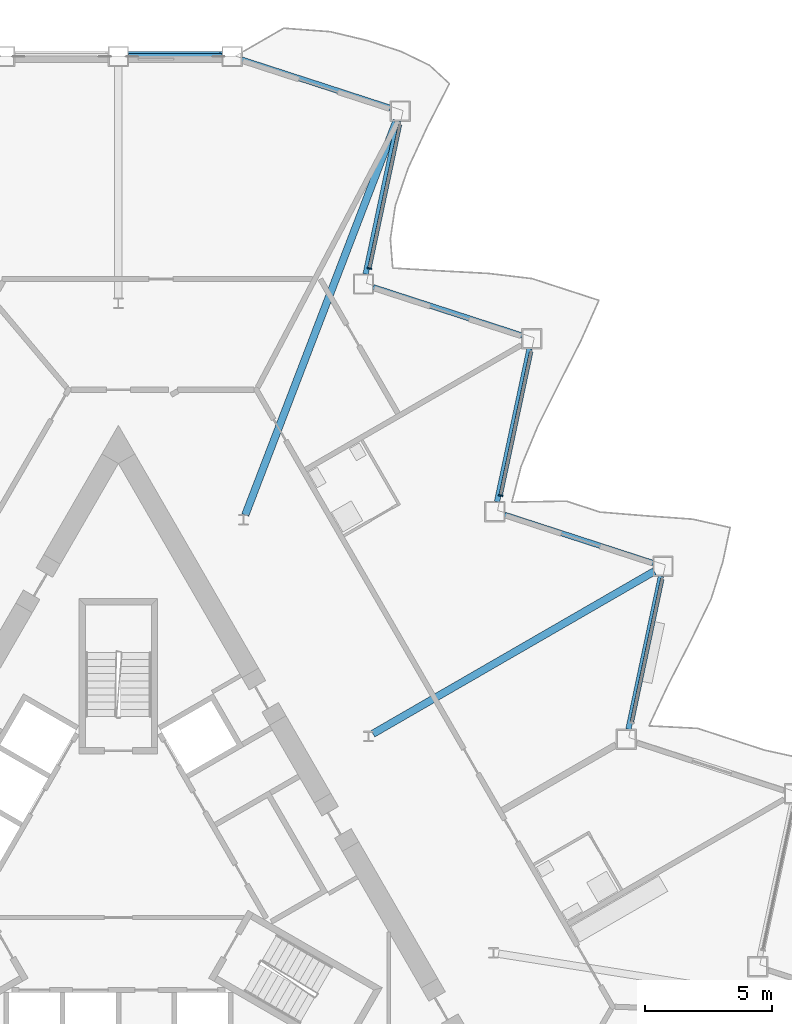
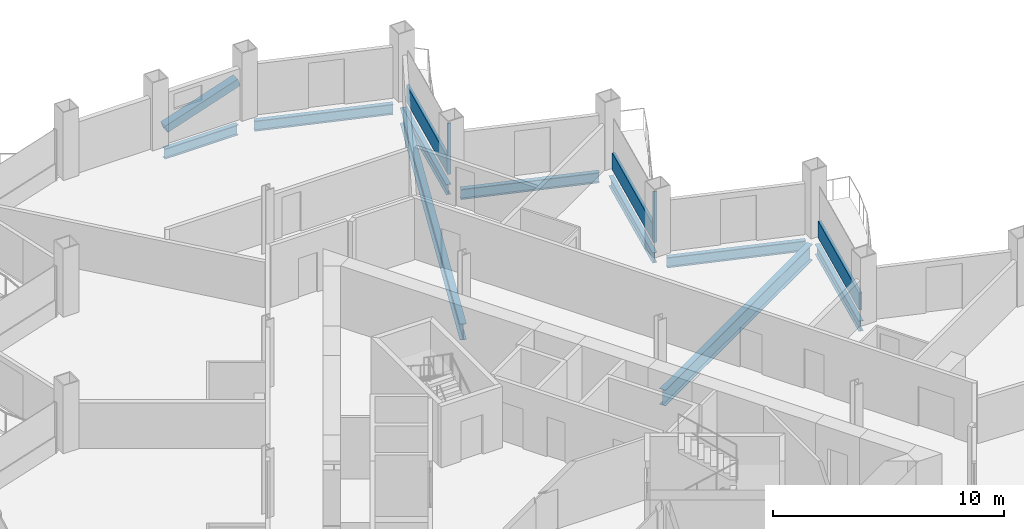
# One storey, part 9 of 23: 9 beams, 6 members, 3 elements without a shape of their own.
"""IFC4 building model written with IfcOpenShell, lengths in metres."""

from ifc_helpers import new_model, si_unit, direction, frame, origin, origin_2d, place, context, subcontext, project, spatial, rectangle, hollow_rectangle, i_section, extrude, material, layer, layer_set, material_profile, profile_set, type_object, element, aggregate, save


model = new_model("IFC4")

# Units and contexts
model_context = context("Model", 3, precision=1e-05, world=origin(), true_north=direction((0.0, 1.0)))
body_context = subcontext(model_context, "Body", "Model", "MODEL_VIEW")
ifc_project = project(units=[si_unit("LENGTHUNIT", "METRE"), si_unit("AREAUNIT", "SQUARE_METRE"), si_unit("VOLUMEUNIT", "CUBIC_METRE"), si_unit("PLANEANGLEUNIT", "RADIAN"), si_unit("MASSUNIT", "GRAM", prefix="KILO")], contexts=[model_context])

# Site, building, storey
site_placement = place(None, origin())
site = spatial("IfcSite", under=ifc_project, at=site_placement, CompositionType="ELEMENT")
building_placement = place(site_placement, origin())
building = spatial("IfcBuilding", under=site, at=building_placement, Name="Cormorant Prow Tower", CompositionType="ELEMENT")
storey_placement = place(building_placement, frame((0.0, 0.0, 208.800048828125)))
storey = spatial("IfcBuildingStorey", under=building, at=storey_placement, Name="L46", CompositionType="ELEMENT", Elevation=208.800048828125)

# Member
ifc_material_1 = material(Name="Structural steel ASTM A500 Gr C", Category="steel")
ifc_material_profile_1 = material_profile(ifc_material_1, hollow_rectangle(XDim=0.406494140625, YDim=0.406494140625, WallThickness=0.01171875, at=origin_2d()), Name="HSS16x16x1/2")
ifc_profile_set_1 = profile_set([ifc_material_profile_1], Name="Structural steel ASTM A500 Gr C")
member_type_1 = type_object("IfcMemberType", Name="Chamfer brace HSS16x16x1/2", PredefinedType="BRACE", material=ifc_profile_set_1)
member_1_placement = place(storey_placement, frame((0.417236328125, 32.3994140625, 0.739990234375), z_axis=(0.947999999098, 0.0, 0.318270328039), x_axis=(0.0, 1.0, 0.0)))
element("IfcMember", 1, at=member_1_placement, inside=storey, type_object=member_type_1, Name="Chamfer brace BR2 at N00 L46", PredefinedType="BRACE", context=body_context, shape_type="SweptSolid", body=[
    extrude(hollow_rectangle(XDim=0.406494140625, YDim=0.406494140625, WallThickness=0.01171875, at=origin_2d()), origin(), (0.0, 0.0, 1.0), 3.83544921875),
])

# Curtain wall, member
ifc_material_2 = material(Name="Aluminium 6063-T6", Category="aluminium")
ifc_layer = layer(ifc_material_2, 0.179931640625)
ifc_layer_set = layer_set([ifc_layer], Name="Aluminium 6063-T6")
curtain_wall_type = type_object("IfcCurtainWallType", Name="Hotel unitised curtain wall 180", PredefinedType="NOTDEFINED", material=ifc_layer_set)
curtain_wall_1_placement = place(storey_placement, origin())
curtain_wall_1 = element("IfcCurtainWall", 2, at=curtain_wall_1_placement, inside=storey, type_object=curtain_wall_type, Name="Hotel curtain wall ENE06", PredefinedType="NOTDEFINED")
ifc_material_3 = material(Name="Aluminium 6063-T6", Category="aluminium")
ifc_material_profile_2 = material_profile(ifc_material_3, rectangle(XDim=0.179931640625, YDim=0.06005859375, at=origin_2d()), Name="Hotel mullion 60x180")
ifc_profile_set_2 = profile_set([ifc_material_profile_2], Name="Aluminium 6063-T6")
member_type_2 = type_object("IfcMemberType", Name="Hotel mullion 60x180", PredefinedType="MULLION", material=ifc_profile_set_2)
member_2_placement = place(storey_placement, frame((15.027099609375, 15.142333984375, 0.0), z_axis=(0.0, 0.0, 1.0), x_axis=(-0.978147602617, 0.207911681957, 0.0)))
member_2 = element("IfcMember", 3, at=member_2_placement, type_object=member_type_2, Name="Hotel mullion ENE06", PredefinedType="MULLION", context=body_context, shape_type="SweptSolid", body=[
    extrude(rectangle(XDim=0.179931640625, YDim=0.06005859375, at=origin_2d()), origin(), (0.0, 0.0, 1.0), 2.700927734375),
])

curtain_wall_2_placement = place(storey_placement, origin())
curtain_wall_2 = element("IfcCurtainWall", 4, at=curtain_wall_2_placement, inside=storey, type_object=curtain_wall_type, Name="Hotel curtain wall ENE08", PredefinedType="NOTDEFINED")
member_3_placement = place(storey_placement, frame((9.87158203125, 24.072021484375, 0.0), z_axis=(0.0, 0.0, 1.0), x_axis=(-0.978147596387, 0.20791171127, 0.0)))
member_3 = element("IfcMember", 5, at=member_3_placement, type_object=member_type_2, Name="Hotel mullion ENE08", PredefinedType="MULLION", context=body_context, shape_type="SweptSolid", body=[
    extrude(rectangle(XDim=0.179931640625, YDim=0.06005859375, at=origin_2d()), origin(), (0.0, 0.0, 1.0), 2.700927734375),
])

curtain_wall_3_placement = place(storey_placement, origin())
curtain_wall_3 = element("IfcCurtainWall", 6, at=curtain_wall_3_placement, inside=storey, type_object=curtain_wall_type, Name="Hotel curtain wall ENE04", PredefinedType="NOTDEFINED")
ifc_material_4 = material(Name="Terracotta", Category="masonry")
ifc_material_profile_3 = material_profile(ifc_material_4, rectangle(XDim=0.139892578125, YDim=0.89990234375, at=origin_2d()), Name="Hotel terracotta spandrel rail 140x900")
ifc_profile_set_3 = profile_set([ifc_material_profile_3], Name="Terracotta")
member_type_3 = type_object("IfcMemberType", Name="Hotel terracotta spandrel rail 140x900", PredefinedType="USERDEFINED", material=ifc_profile_set_3)
member_4_placement = place(storey_placement, frame((20.18896484375, 6.24169921875, 0.449951171875), z_axis=(0.207925883131, 0.978144583957, 0.0), x_axis=(-0.978144583957, 0.207925883131, 0.0)))
member_4 = element("IfcMember", 7, at=member_4_placement, type_object=member_type_3, Name="Hotel spandrel rail ENE04", ObjectType="TRANSOM", PredefinedType="USERDEFINED", context=body_context, shape_type="SweptSolid", body=[
    extrude(rectangle(XDim=0.139892578125, YDim=0.89990234375, at=origin_2d()), origin(), (0.0, 0.0, 1.0), 5.74169921875),
])
aggregate(curtain_wall_3, [member_4])

# Member
member_5_placement = place(storey_placement, frame((15.033447265625, 15.171630859375, 0.449951171875), z_axis=(0.207885200263, 0.9781532311, 0.0), x_axis=(-0.9781532311, 0.207885200263, 0.0)))
member_5 = element("IfcMember", 8, at=member_5_placement, type_object=member_type_3, Name="Hotel spandrel rail ENE06", ObjectType="TRANSOM", PredefinedType="USERDEFINED", context=body_context, shape_type="SweptSolid", body=[
    extrude(rectangle(XDim=0.139892578125, YDim=0.89990234375, at=origin_2d()), origin(), (0.0, 0.0, 1.0), 5.74169921875),
])

aggregate(curtain_wall_1, [member_2, member_5])

member_6_placement = place(storey_placement, frame((9.877685546875, 24.1015625, 0.449951171875), z_axis=(0.207934531396, 0.97814274554, 0.0), x_axis=(-0.97814274554, 0.207934531396, 0.0)))
member_6 = element("IfcMember", 9, at=member_6_placement, type_object=member_type_3, Name="Hotel spandrel rail ENE08", ObjectType="TRANSOM", PredefinedType="USERDEFINED", context=body_context, shape_type="SweptSolid", body=[
    extrude(rectangle(XDim=0.139892578125, YDim=0.89990234375, at=origin_2d()), origin(), (0.0, 0.0, 1.0), 5.741455078125),
])

aggregate(curtain_wall_2, [member_3, member_6])

# Beams
ifc_material_5 = material(Name="Structural steel ASTM A992 Gr 50", Category="steel")
ifc_material_profile_4 = material_profile(ifc_material_5, i_section(OverallWidth=0.29296875, OverallDepth=0.845703125, WebThickness=0.015380859375, FlangeThickness=0.0244140625, at=origin_2d()), Name="W33x141")
ifc_profile_set_4 = profile_set([ifc_material_profile_4], Name="Structural steel ASTM A992 Gr 50")
beam_type_1 = type_object("IfcBeamType", Name="Radial floor beam W33x141", PredefinedType="BEAM", material=ifc_profile_set_4)
beam_1_placement = place(storey_placement, frame((10.0048828125, 5.7763671875, -0.77294921875), z_axis=(0.866026069776, 0.499998846467, 0.0), x_axis=(-0.499998846467, 0.866026069776, 0.0)))
element("IfcBeam", 10, at=beam_1_placement, inside=storey, type_object=beam_type_1, Name="Radial floor beam FB2 11 L46", PredefinedType="BEAM", context=body_context, shape_type="SweptSolid", body=[
    extrude(i_section(OverallWidth=0.29296875, OverallDepth=0.845703125, WebThickness=0.015380859375, FlangeThickness=0.0244140625, at=origin_2d()), origin(), (0.0, 0.0, 1.0), 12.76904296875),
])
beam_2_placement = place(storey_placement, frame((4.9873046875, 14.376220703125, -0.77294921875), z_axis=(0.358301123829, 0.933606075742, 0.0), x_axis=(-0.933606075742, 0.358301123829, 0.0)))
element("IfcBeam", 11, at=beam_2_placement, inside=storey, type_object=beam_type_1, Name="Radial floor beam FB2 12 L46", PredefinedType="BEAM", context=body_context, shape_type="SweptSolid", body=[
    extrude(i_section(OverallWidth=0.29296875, OverallDepth=0.845703125, WebThickness=0.015380859375, FlangeThickness=0.0244140625, at=origin_2d()), origin(), (0.0, 0.0, 1.0), 16.604736328125),
])
ifc_material_6 = material(Name="Structural steel ASTM A992 Gr 50", Category="steel")
ifc_material_profile_5 = material_profile(ifc_material_6, i_section(OverallWidth=0.2138671875, OverallDepth=0.549072265625, WebThickness=0.0146484375, FlangeThickness=0.023681640625, at=origin_2d()), Name="W21x93")
ifc_profile_set_5 = profile_set([ifc_material_profile_5], Name="Structural steel ASTM A992 Gr 50")
beam_type_2 = type_object("IfcBeamType", Name="Spandrel beam W21x93", PredefinedType="SPANDREL", material=ifc_profile_set_5)
beam_3_placement = place(storey_placement, frame((20.0478515625, 5.9541015625, -0.62451171875), z_axis=(0.207904811195, 0.978149063018, 0.0), x_axis=(-0.978149063018, 0.207904811195, 0.0)))
element("IfcBeam", 12, at=beam_3_placement, inside=storey, type_object=beam_type_2, Name="Spandrel beam SB2 ENE04-ENE05 L46", PredefinedType="SPANDREL", context=body_context, shape_type="SweptSolid", body=[
    extrude(i_section(OverallWidth=0.2138671875, OverallDepth=0.549072265625, WebThickness=0.0146484375, FlangeThickness=0.023681640625, at=origin_2d()), origin(), (0.0, 0.0, 1.0), 6.149658203125),
])
beam_4_placement = place(storey_placement, frame((21.029052734375, 12.484375, -0.62451171875), z_axis=(-0.951057696564, 0.309013361859, 0.0), x_axis=(-0.309013361859, -0.951057696564, 0.0)))
element("IfcBeam", 13, at=beam_4_placement, inside=storey, type_object=beam_type_2, Name="Spandrel beam SB2 ENE05-ENE06 L46", PredefinedType="SPANDREL", context=body_context, shape_type="SweptSolid", body=[
    extrude(i_section(OverallWidth=0.2138671875, OverallDepth=0.549072265625, WebThickness=0.0146484375, FlangeThickness=0.023681640625, at=origin_2d()), origin(), (0.0, 0.0, 1.0), 6.14990234375),
])
beam_5_placement = place(storey_placement, frame((14.883056640625, 14.899658203125, -0.62451171875), z_axis=(0.207904811195, 0.978149063018, 0.0), x_axis=(-0.978149063018, 0.207904811195, 0.0)))
element("IfcBeam", 14, at=beam_5_placement, inside=storey, type_object=beam_type_2, Name="Spandrel beam SB2 ENE06-ENE07 L46", PredefinedType="SPANDREL", context=body_context, shape_type="SweptSolid", body=[
    extrude(i_section(OverallWidth=0.2138671875, OverallDepth=0.549072265625, WebThickness=0.0146484375, FlangeThickness=0.023681640625, at=origin_2d()), origin(), (0.0, 0.0, 1.0), 6.149658203125),
])
beam_6_placement = place(storey_placement, frame((15.864501953125, 21.429931640625, -0.62451171875), z_axis=(-0.951057696564, 0.309013361859, 0.0), x_axis=(-0.309013361859, -0.951057696564, 0.0)))
element("IfcBeam", 15, at=beam_6_placement, inside=storey, type_object=beam_type_2, Name="Spandrel beam SB2 ENE07-ENE08 L46", PredefinedType="SPANDREL", context=body_context, shape_type="SweptSolid", body=[
    extrude(i_section(OverallWidth=0.2138671875, OverallDepth=0.549072265625, WebThickness=0.0146484375, FlangeThickness=0.023681640625, at=origin_2d()), origin(), (0.0, 0.0, 1.0), 6.14990234375),
])
beam_7_placement = place(storey_placement, frame((9.71826171875, 23.84521484375, -0.62451171875), z_axis=(0.207904811195, 0.978149063018, 0.0), x_axis=(-0.978149063018, 0.207904811195, 0.0)))
element("IfcBeam", 16, at=beam_7_placement, inside=storey, type_object=beam_type_2, Name="Spandrel beam SB2 ENE08-ENE09 L46", PredefinedType="SPANDREL", context=body_context, shape_type="SweptSolid", body=[
    extrude(i_section(OverallWidth=0.2138671875, OverallDepth=0.549072265625, WebThickness=0.0146484375, FlangeThickness=0.023681640625, at=origin_2d()), origin(), (0.0, 0.0, 1.0), 6.149658203125),
])
beam_8_placement = place(storey_placement, frame((10.69970703125, 30.37548828125, -0.62451171875), z_axis=(-0.951057696564, 0.309013361859, 0.0), x_axis=(-0.309013361859, -0.951057696564, 0.0)))
element("IfcBeam", 17, at=beam_8_placement, inside=storey, type_object=beam_type_2, Name="Spandrel beam SB2 ENE09-N00 L46", PredefinedType="SPANDREL", context=body_context, shape_type="SweptSolid", body=[
    extrude(i_section(OverallWidth=0.2138671875, OverallDepth=0.549072265625, WebThickness=0.0146484375, FlangeThickness=0.023681640625, at=origin_2d()), origin(), (0.0, 0.0, 1.0), 6.14990234375),
])
beam_9_placement = place(storey_placement, frame((4.0703125, 32.3994140625, -0.62451171875), z_axis=(-1.0, 0.0, 0.0), x_axis=(0.0, -1.0, 0.0)))
element("IfcBeam", 18, at=beam_9_placement, inside=storey, type_object=beam_type_2, Name="Spandrel beam SB2 N00-N01 L46", PredefinedType="SPANDREL", context=body_context, shape_type="SweptSolid", body=[
    extrude(i_section(OverallWidth=0.2138671875, OverallDepth=0.549072265625, WebThickness=0.0146484375, FlangeThickness=0.023681640625, at=origin_2d()), origin(), (0.0, 0.0, 1.0), 3.67041015625),
])

save(model, "model.ifc")
